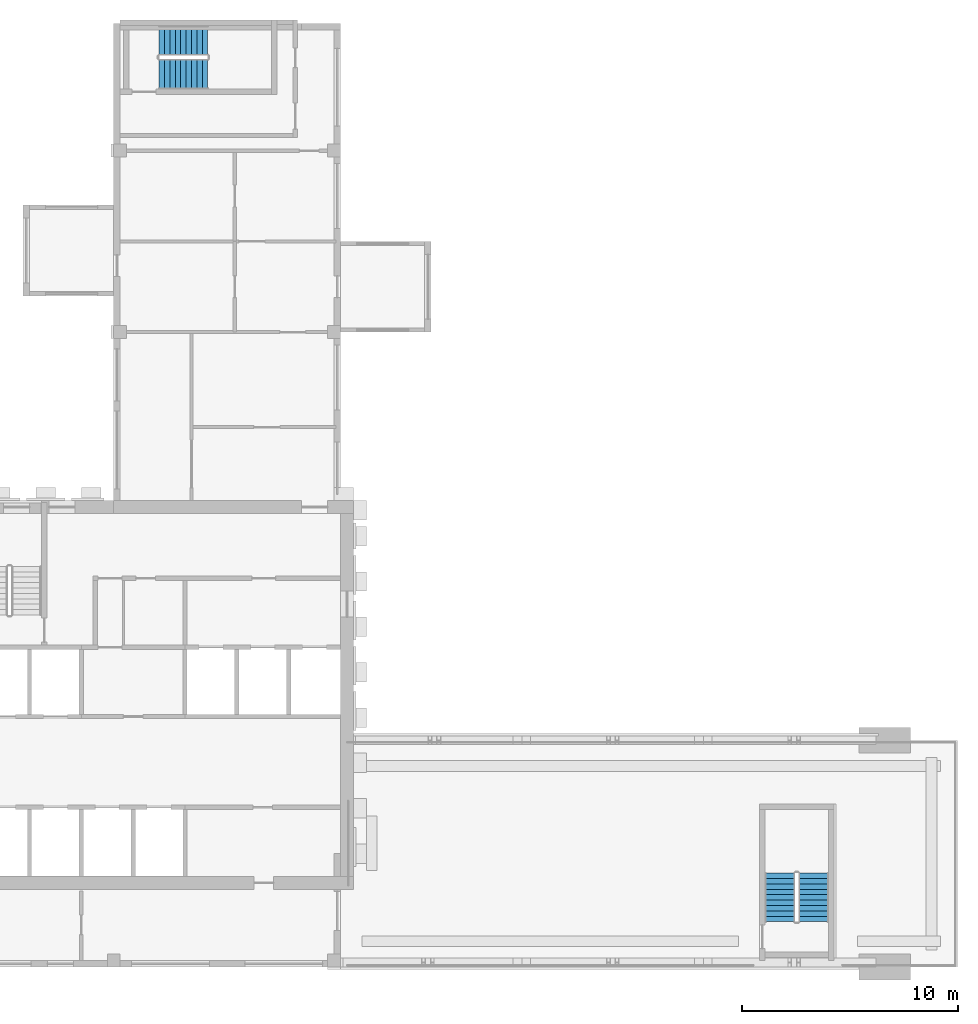
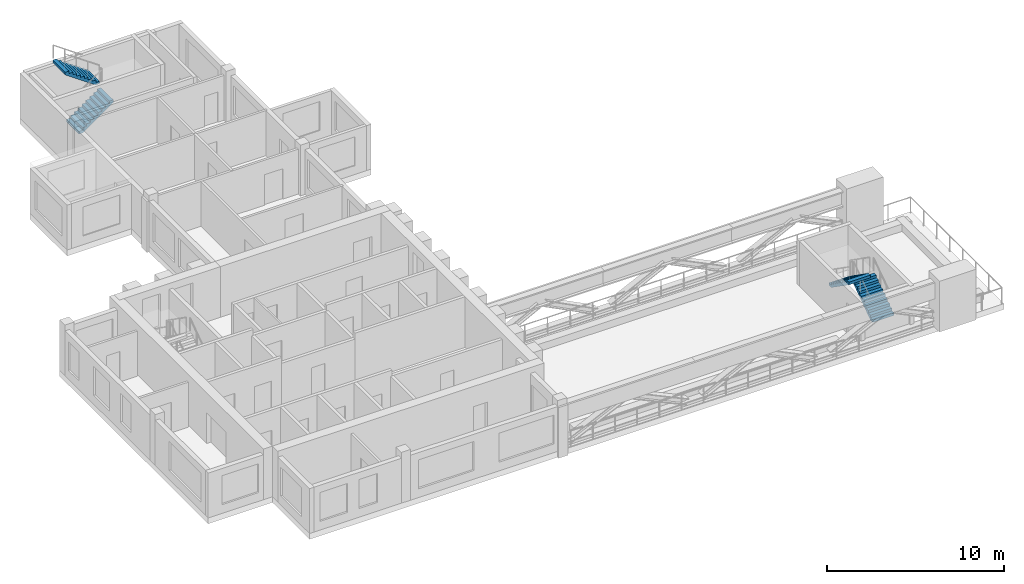
# One storey, part 5 of 9: 4 stair flights, 2 elements without a shape of their own.
"""IFC4 building model written with IfcOpenShell, lengths in metres."""

from ifc_helpers import new_model, si_unit, direction, frame, origin, place, context, subcontext, project, spatial, polyline, outline, extrude, source, transform, mapped, material, type_object, element, aggregate, save


model = new_model("IFC4")

# Units and contexts
model_context = context("Model", 3, precision=1e-05, world=origin(), true_north=direction((0.0, 1.0)))
body_context = subcontext(model_context, "Body", "Model", "MODEL_VIEW")
ifc_project = project(units=[si_unit("LENGTHUNIT", "METRE"), si_unit("AREAUNIT", "SQUARE_METRE"), si_unit("VOLUMEUNIT", "CUBIC_METRE"), si_unit("PLANEANGLEUNIT", "RADIAN"), si_unit("MASSUNIT", "GRAM", prefix="KILO")], contexts=[model_context])

# Site, building, storey
site_placement = place(None, origin())
site = spatial("IfcSite", under=ifc_project, at=site_placement, CompositionType="ELEMENT")
building_placement = place(site_placement, origin())
building = spatial("IfcBuilding", under=site, at=building_placement, Name="Aurelian Terraces", CompositionType="ELEMENT")
storey_placement = place(building_placement, frame((0.0, 0.0, 351.0)))
storey = spatial("IfcBuildingStorey", under=building, at=storey_placement, Name="L83", CompositionType="ELEMENT", Elevation=351.0)

# Stair, stair flights
ifc_material = material(Name="Concrete fc' 40 MPa", Category="concrete")
stair_type = type_object("IfcStairType", Name="Stair 1400", PredefinedType="HALF_TURN_STAIR", material=ifc_material)
stair_1_placement = place(storey_placement, origin())
stair_1 = element("IfcStair", 1, at=stair_1_placement, inside=storey, type_object=stair_type, Name="L83 S2", PredefinedType="HALF_TURN_STAIR")
stair_flight_type = type_object("IfcStairFlightType", Name="Stair flight 1400", PredefinedType="STRAIGHT", material=ifc_material)
shared_shape = source(origin(), body_context, "Body", "SweptSolid", [
    extrude(outline(polyline([(0.0, 0.0), (0.0, 0.175), (0.25, 0.175), (0.25, 0.35), (0.5, 0.35), (0.5, 0.525), (0.75, 0.525), (0.75, 0.7), (1.0, 0.7), (1.0, 0.875), (1.25, 0.875), (1.25, 1.05), (1.5, 1.05), (1.5, 1.225), (1.75, 1.225), (1.75, 1.4), (2.0, 1.4), (2.0, 1.575), (2.25, 1.575), (2.25, 1.75), (2.25, 1.3919), (0.2616, 0.0), (0.0, 0.0)])), frame((0.0, 0.7, 0.0), z_axis=(0.0, -1.0, 0.0), x_axis=(1.0, 0.0, 0.0)), (0.0, 0.0, 1.0), 1.4),
])
stair_flight_1_placement = place(storey_placement, frame((42.9, 2.1, 2e-08), z_axis=(0.0, 0.0, 1.0), x_axis=(0.0, 1.0, 0.0)))
stair_flight_1 = element("IfcStairFlight", 2, at=stair_flight_1_placement, type_object=stair_flight_type, Name="S2 flight 1", NumberOfRisers=10, NumberOfTreads=9, PredefinedType="STRAIGHT", RiserHeight=0.175, TreadLength=0.25, context=body_context, shape_type="MappedRepresentation", body=[
    mapped(shared_shape, transform((0.0, 0.0, 0.0), scale=1.0)),
])
stair_flight_2_placement = place(storey_placement, frame((41.35, 4.35, 1.75000002), z_axis=(0.0, 0.0, 1.0), x_axis=(0.0, -1.0, 0.0)))
stair_flight_2 = element("IfcStairFlight", 3, at=stair_flight_2_placement, type_object=stair_flight_type, Name="S2 flight 2", NumberOfRisers=10, NumberOfTreads=9, PredefinedType="STRAIGHT", RiserHeight=0.175, TreadLength=0.25, context=body_context, shape_type="MappedRepresentation", body=[
    mapped(shared_shape, transform((0.0, 0.0, 0.0), scale=1.0)),
])
aggregate(stair_1, [stair_flight_1, stair_flight_2])

stair_2_placement = place(storey_placement, origin())
stair_2 = element("IfcStair", 4, at=stair_2_placement, inside=storey, type_object=stair_type, Name="L83 S3U", PredefinedType="HALF_TURN_STAIR")
stair_flight_3_placement = place(storey_placement, frame((12.6, 41.35, 2e-08), z_axis=(0.0, 0.0, 1.0), x_axis=(1.0, 0.0, 0.0)))
stair_flight_3 = element("IfcStairFlight", 5, at=stair_flight_3_placement, type_object=stair_flight_type, Name="S3U flight 1", NumberOfRisers=10, NumberOfTreads=9, PredefinedType="STRAIGHT", RiserHeight=0.175, TreadLength=0.25, context=body_context, shape_type="MappedRepresentation", body=[
    mapped(shared_shape, transform((0.0, 0.0, 0.0), scale=1.0)),
])
stair_flight_4_placement = place(storey_placement, frame((14.85, 42.9, 1.75000002), z_axis=(0.0, 0.0, 1.0), x_axis=(-1.0, 0.0, 0.0)))
stair_flight_4 = element("IfcStairFlight", 6, at=stair_flight_4_placement, type_object=stair_flight_type, Name="S3U flight 2", NumberOfRisers=10, NumberOfTreads=9, PredefinedType="STRAIGHT", RiserHeight=0.175, TreadLength=0.25, context=body_context, shape_type="MappedRepresentation", body=[
    mapped(shared_shape, transform((0.0, 0.0, 0.0), scale=1.0)),
])
aggregate(stair_2, [stair_flight_3, stair_flight_4])

save(model, "model.ifc")
